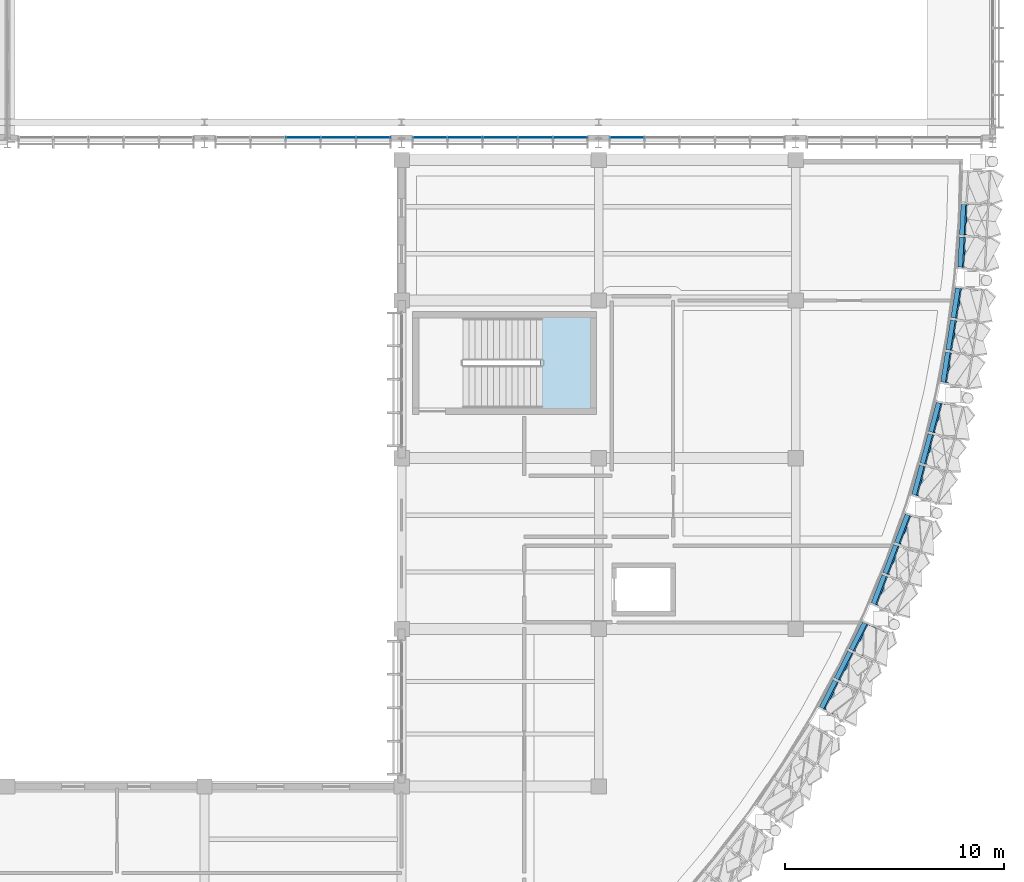
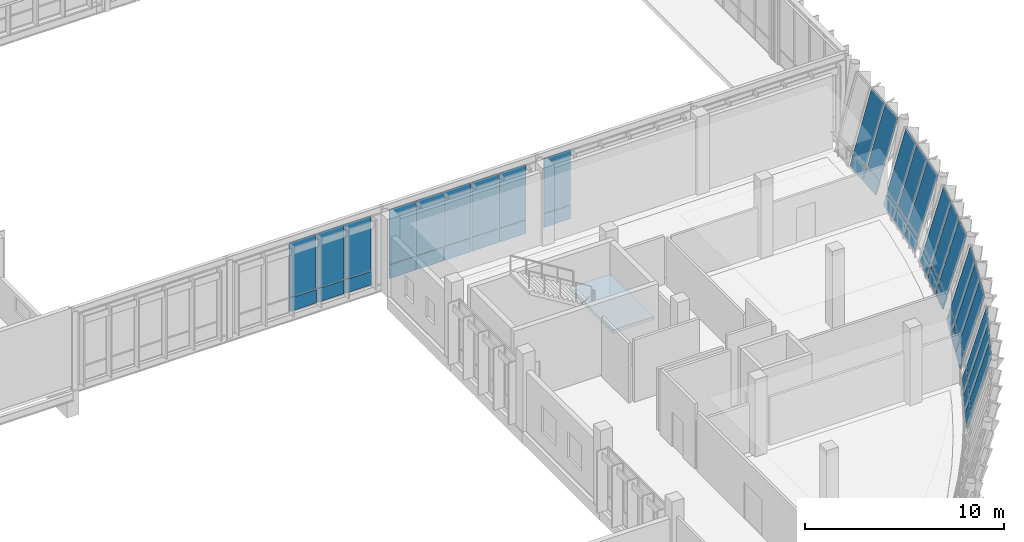
# One storey, part 140 of 177: 46 plates, 1 slab, 9 elements without a shape of their own.
"""IFC4 building model written with IfcOpenShell, lengths in metres."""

from ifc_helpers import new_model, si_unit, direction, frame, origin, origin_2d, place, context, subcontext, project, spatial, polyline, rectangle, outline, extrude, material, layer, layer_set, type_object, element, aggregate, save


model = new_model("IFC4")

# Units and contexts
model_context = context("Model", 3, precision=1e-05, world=origin(), true_north=direction((0.0, 1.0)))
body_context = subcontext(model_context, "Body", "Model", "MODEL_VIEW")
ifc_project = project(units=[si_unit("LENGTHUNIT", "METRE"), si_unit("AREAUNIT", "SQUARE_METRE"), si_unit("VOLUMEUNIT", "CUBIC_METRE"), si_unit("PLANEANGLEUNIT", "RADIAN"), si_unit("MASSUNIT", "GRAM", prefix="KILO")], contexts=[model_context])

# Site, building, storey
site_placement = place(None, origin())
site = spatial("IfcSite", under=ifc_project, at=site_placement, CompositionType="ELEMENT")
building_placement = place(site_placement, origin())
building = spatial("IfcBuilding", under=site, at=building_placement, Name="Chiffa Square Polytechnic", CompositionType="ELEMENT")
storey_placement = place(building_placement, frame((0.0, 0.0, 4.800048828125)))
storey = spatial("IfcBuildingStorey", under=building, at=storey_placement, Name="L01", CompositionType="ELEMENT", Elevation=4.800048828125)

# Curtain wall, plates
ifc_material_1 = material(Name="Aluminium EN AW-6060 T66 and glulam shading", Category="wood")
curtain_wall_type_1 = type_object("IfcCurtainWallType", Name="CW-PROW-LEAN-150", PredefinedType="USERDEFINED", material=ifc_material_1)
curtain_wall_1_placement = place(storey_placement, origin())
curtain_wall_1 = element("IfcCurtainWall", 1, at=curtain_wall_1_placement, inside=storey, type_object=curtain_wall_type_1, Name="Outward-leaning diamond-fin prow curtain wall CW-V1-L01-026", ObjectType="CURTAIN WALL", PredefinedType="USERDEFINED")
ifc_material_2 = material(Name="Double glazing", Category="glass")
ifc_layer_1 = layer(ifc_material_2, 0.035888671875, Name="Double glazing")
ifc_layer_set_1 = layer_set([ifc_layer_1], Name="Double glazing")
plate_type_1 = type_object("IfcPlateType", Name="CWP-GLZ-120X145", PredefinedType="CURTAIN_PANEL", material=ifc_layer_set_1)
plate_1_placement = place(storey_placement, frame((173.836669921875, 52.5126953125, 0.8779296875), z_axis=(-0.961031746374, 0.05040816923, 0.271803235698), x_axis=(0.05237346931, 0.998627567792, -2.3622825e-05)))
plate_1 = element("IfcPlate", 2, at=plate_1_placement, type_object=plate_type_1, Name="Leaning prow curtain panel CW-V1-L01-026-PN01", PredefinedType="CURTAIN_PANEL", context=body_context, shape_type="SweptSolid", body=[
    extrude(outline(polyline([(0.0, 0.0), (1.3820176239366675, 0.0), (1.3634875111920264, -3.696316927708244), (-0.05105854396310601, -3.6962482806053796), (0.0, 0.0)])), origin(), (0.0, 0.0, -1.0), 0.035888671875),
])
plate_2_placement = place(storey_placement, frame((173.91455078125, 54.0, 0.8779296875), z_axis=(-0.96100590989, 0.050406814051, 0.271894822043), x_axis=(0.052373464819, 0.998627568027, -2.363015e-05)))
plate_2 = element("IfcPlate", 3, at=plate_2_placement, type_object=plate_type_1, Name="Leaning prow curtain panel CW-V1-L01-026-PN02", PredefinedType="CURTAIN_PANEL", context=body_context, shape_type="SweptSolid", body=[
    extrude(outline(polyline([(0.0, 0.0), (1.382017623936948, 0.0), (1.3984667539128772, -3.696417171876284), (-0.016079301241406326, -3.6963485016422117), (0.0, 0.0)])), origin(), (0.0, 0.0, -1.0), 0.035888671875),
])

curtain_wall_type_2 = type_object("IfcCurtainWallType", Name="CW-PROW-LEAN-300", PredefinedType="USERDEFINED", material=ifc_material_1)
curtain_wall_2_placement = place(storey_placement, origin())
curtain_wall_2 = element("IfcCurtainWall", 4, at=curtain_wall_2_placement, inside=storey, type_object=curtain_wall_type_2, Name="Outward-leaning diamond-fin prow curtain wall CW-V1-L01-023", ObjectType="CURTAIN WALL", PredefinedType="USERDEFINED")
ifc_layer_2 = layer(ifc_material_2, 0.0458984375, Name="Double glazing")
ifc_layer_set_2 = layer_set([ifc_layer_2], Name="Double glazing")
plate_type_2 = type_object("IfcPlateType", Name="CWP-GLZ-128X106", PredefinedType="CURTAIN_PANEL", material=ifc_layer_set_2)
plate_3_placement = place(storey_placement, frame((169.8642578125, 37.10205078125, 0.8779296875), z_axis=(-0.89844232443, 0.344792154429, 0.271881885968), x_axis=(0.358274929434, 0.933616126804, -5.2064464e-05)))
plate_3 = element("IfcPlate", 5, at=plate_3_placement, type_object=plate_type_2, Name="Leaning prow curtain panel CW-V1-L01-023-PN01", PredefinedType="CURTAIN_PANEL", context=body_context, shape_type="SweptSolid", body=[
    extrude(outline(polyline([(0.0, 0.0), (1.381929812529648, 0.0), (1.3632301773664963, -3.6964425520827997), (-0.051336877886634484, -3.6962912546951396), (0.0, 0.0)])), origin(), (0.0, 0.0, -1.0), 0.0458984375),
])
plate_4_placement = place(storey_placement, frame((170.397705078125, 38.492431640625, 0.8779296875), z_axis=(-0.898427877495, 0.344786610178, 0.271936651414), x_axis=(0.358274923901, 0.933616128927, -5.2074114e-05)))
plate_4 = element("IfcPlate", 6, at=plate_4_placement, type_object=plate_type_2, Name="Leaning prow curtain panel CW-V1-L01-023-PN02", PredefinedType="CURTAIN_PANEL", context=body_context, shape_type="SweptSolid", body=[
    extrude(outline(polyline([(0.0, 0.0), (1.3819298125304627, 0.0), (1.3980937213582272, -3.6965038920183133), (-0.01647333389243964, -3.696352564154666), (0.0, 0.0)])), origin(), (0.0, 0.0, -1.0), 0.0458984375),
])
plate_5_placement = place(storey_placement, frame((170.93115234375, 39.8828125, 0.8779296875), z_axis=(-0.89842598703, 0.344734108742, 0.272009448548), x_axis=(0.358231488328, 0.933632796796, -3.893839e-05)))
plate_5 = element("IfcPlate", 7, at=plate_5_placement, type_object=plate_type_2, Name="Leaning prow curtain panel CW-V1-L01-023-PN03", PredefinedType="CURTAIN_PANEL", context=body_context, shape_type="SweptSolid", body=[
    extrude(outline(polyline([(0.0, 0.0), (1.3819298237086202, 0.0), (1.4329572537598534, -3.6965652491770538), (0.018705609510694783, -3.6964521041928258), (0.0, 0.0)])), origin(), (0.0, 0.0, -1.0), 0.0458984375),
])

curtain_wall_3_placement = place(storey_placement, origin())
curtain_wall_3 = element("IfcCurtainWall", 8, at=curtain_wall_3_placement, inside=storey, type_object=curtain_wall_type_1, Name="Outward-leaning diamond-fin prow curtain wall CW-V1-L01-022", ObjectType="CURTAIN WALL", PredefinedType="USERDEFINED")
ifc_layer_3 = layer(ifc_material_2, 0.0458984375, Name="Double glazing")
ifc_layer_set_3 = layer_set([ifc_layer_3], Name="Double glazing")
plate_type_3 = type_object("IfcPlateType", Name="CWP-GLZ-130X110", PredefinedType="CURTAIN_PANEL", material=ifc_layer_set_3)
plate_6_placement = place(storey_placement, frame((167.491455078125, 32.33544921875, 0.8779296875), z_axis=(-0.857414925815, 0.43689772011, 0.271955928696), x_axis=(0.454017956859, 0.890992532917, 3.3705947e-05)))
plate_6 = element("IfcPlate", 9, at=plate_6_placement, type_object=plate_type_3, Name="Leaning prow curtain panel CW-V1-L01-022-PN01", PredefinedType="CURTAIN_PANEL", context=body_context, shape_type="SweptSolid", body=[
    extrude(outline(polyline([(0.0, 0.0), (1.3821890876750023, 0.0), (1.3634378191488559, -3.6964014031297365), (-0.05117684735226447, -3.696499364230498), (0.0, 0.0)])), origin(), (0.0, 0.0, -1.0), 0.0458984375),
])
plate_7_placement = place(storey_placement, frame((168.167724609375, 33.662353515625, 0.8779296875), z_axis=(-0.857377033605, 0.437005225241, 0.271902657875), x_axis=(0.454120115823, 0.890940469297, 2.3969398e-05)))
plate_7 = element("IfcPlate", 10, at=plate_7_placement, type_object=plate_type_3, Name="Leaning prow curtain panel CW-V1-L01-022-PN02", PredefinedType="CURTAIN_PANEL", context=body_context, shape_type="SweptSolid", body=[
    extrude(outline(polyline([(0.0, 0.0), (1.3819715831160841, 0.0), (1.3985668256643609, -3.6963565010632475), (-0.016158679147272193, -3.6964261606492426), (0.0, 0.0)])), origin(), (0.0, 0.0, -1.0), 0.0458984375),
])
plate_8_placement = place(storey_placement, frame((168.843994140625, 34.989013671875, 0.8779296875), z_axis=(-0.857421285693, 0.436943769046, 0.271861879513), x_axis=(0.454055937734, 0.890973177736, 4.4314815e-05)))
plate_8 = element("IfcPlate", 11, at=plate_8_placement, type_object=plate_type_3, Name="Leaning prow curtain panel CW-V1-L01-022-PN03", PredefinedType="CURTAIN_PANEL", context=body_context, shape_type="SweptSolid", body=[
    extrude(outline(polyline([(0.0, 0.0), (1.3819715701259616, 0.0), (1.4340502310451404, -3.696281049734614), (0.0194355745777219, -3.6964098302900497), (0.0, 0.0)])), origin(), (0.0, 0.0, -1.0), 0.0458984375),
])

curtain_wall_4_placement = place(storey_placement, origin())
curtain_wall_4 = element("IfcCurtainWall", 12, at=curtain_wall_4_placement, inside=storey, type_object=curtain_wall_type_2, Name="Outward-leaning diamond-fin prow curtain wall CW-V1-L01-025", ObjectType="CURTAIN WALL", PredefinedType="USERDEFINED")
ifc_layer_4 = layer(ifc_material_2, 0.035888671875, Name="Double glazing")
ifc_layer_set_4 = layer_set([ifc_layer_4], Name="Double glazing")
plate_type_4 = type_object("IfcPlateType", Name="CWP-GLZ-150X125", PredefinedType="CURTAIN_PANEL", material=ifc_layer_set_4)
plate_9_placement = place(storey_placement, frame((173.053466796875, 47.247314453125, 0.8779296875), z_axis=(-0.950452965964, 0.150677468433, 0.271910757415), x_axis=(0.156578449822, 0.987665524872, 5.557315e-06)))
plate_9 = element("IfcPlate", 13, at=plate_9_placement, type_object=plate_type_4, Name="Leaning prow curtain panel CW-V1-L01-025-PN01", PredefinedType="CURTAIN_PANEL", context=body_context, shape_type="SweptSolid", body=[
    extrude(outline(polyline([(0.0, 0.0), (1.3812996727359337, 6.938893903907228e-18), (1.3626792693538325, -3.6963922564312854), (-0.05173449707816898, -3.696408401392969), (0.0, 0.0)])), origin(), (0.0, 0.0, -1.0), 0.035888671875),
])
plate_10_placement = place(storey_placement, frame((173.286376953125, 48.717529296875, 0.8779296875), z_axis=(-0.950446680469, 0.150689795568, 0.271925896333), x_axis=(0.156590957177, 0.987663541965, 1.979258e-06)))
plate_10 = element("IfcPlate", 14, at=plate_10_placement, type_object=plate_type_4, Name="Leaning prow curtain panel CW-V1-L01-025-PN02", PredefinedType="CURTAIN_PANEL", context=body_context, shape_type="SweptSolid", body=[
    extrude(outline(polyline([(0.0, 0.0), (1.3812996729878368, 0.0), (1.3980399821874328, -3.6964136816559554), (-0.01613265495617483, -3.696419431272001), (0.0, 0.0)])), origin(), (0.0, 0.0, -1.0), 0.035888671875),
])
plate_11_placement = place(storey_placement, frame((173.51953125, 50.187744140625, 0.8779296875), z_axis=(-0.950446189589, 0.150592358244, 0.27198158455), x_axis=(0.156484790383, 0.987680368218, -2.4792462e-05)))
plate_11 = element("IfcPlate", 15, at=plate_11_placement, type_object=plate_type_4, Name="Leaning prow curtain panel CW-V1-L01-025-PN03", PredefinedType="CURTAIN_PANEL", context=body_context, shape_type="SweptSolid", body=[
    extrude(outline(polyline([(0.0, 0.0), (1.3815025921537698, 0.0), (1.4331974014829008, -3.6965139350180904), (0.019024771733119793, -3.696441908108093), (0.0, 0.0)])), origin(), (0.0, 0.0, -1.0), 0.035888671875),
])

curtain_wall_5_placement = place(storey_placement, origin())
curtain_wall_5 = element("IfcCurtainWall", 16, at=curtain_wall_5_placement, inside=storey, type_object=curtain_wall_type_1, Name="Outward-leaning diamond-fin prow curtain wall CW-V1-L01-024", ObjectType="CURTAIN WALL", PredefinedType="USERDEFINED")
ifc_layer_5 = layer(ifc_material_2, 0.035888671875, Name="Double glazing")
ifc_layer_set_5 = layer_set([ifc_layer_5], Name="Double glazing")
plate_type_5 = type_object("IfcPlateType", Name="CWP-GLZ-150X145", PredefinedType="CURTAIN_PANEL", material=ifc_layer_set_5)
plate_12_placement = place(storey_placement, frame((171.72412109375, 42.091064453125, 0.8779296875), z_axis=(-0.929494630915, 0.24911430721, 0.271995943065), x_axis=(0.258883875467, 0.965908452074, 3.5138062e-05)))
plate_12 = element("IfcPlate", 17, at=plate_12_placement, type_object=plate_type_5, Name="Leaning prow curtain panel CW-V1-L01-024-PN01", PredefinedType="CURTAIN_PANEL", context=body_context, shape_type="SweptSolid", body=[
    extrude(outline(polyline([(0.0, 0.0), (1.3818714035460526, 4.163336342344337e-17), (1.3630271440172343, -3.6964428305913035), (-0.05135045049756604, -3.6965449348565294), (0.0, 0.0)])), origin(), (0.0, 0.0, -1.0), 0.035888671875),
])
plate_13_placement = place(storey_placement, frame((172.10986328125, 43.529296875, 0.8779296875), z_axis=(-0.929498718734, 0.249115402788, 0.271980969859), x_axis=(0.258871681083, 0.965911720936, -9.528372e-06)))
plate_13 = element("IfcPlate", 18, at=plate_13_placement, type_object=plate_type_5, Name="Leaning prow curtain panel CW-V1-L01-024-PN02", PredefinedType="CURTAIN_PANEL", context=body_context, shape_type="SweptSolid", body=[
    extrude(outline(polyline([(0.0, 0.0), (1.3818082009634591, -2.7755575615628914e-17), (1.3979727500779107, -3.6964901843765556), (-0.01646804874656202, -3.6964624969329325), (0.0, 0.0)])), origin(), (0.0, 0.0, -1.0), 0.035888671875),
])
plate_14_placement = place(storey_placement, frame((172.495361328125, 44.9677734375, 0.8779296875), z_axis=(-0.929506221207, 0.249094897494, 0.271974110495), x_axis=(0.258851465922, 0.965917138567, -3.613125e-06)))
plate_14 = element("IfcPlate", 19, at=plate_14_placement, type_object=plate_type_5, Name="Leaning prow curtain panel CW-V1-L01-024-PN03", PredefinedType="CURTAIN_PANEL", context=body_context, shape_type="SweptSolid", body=[
    extrude(outline(polyline([(0.0, 0.0), (1.3818082016894895, -2.7755575615628914e-17), (1.4330899343014165, -3.696474275786642), (0.018413317250367413, -3.6964637759404253), (0.0, 0.0)])), origin(), (0.0, 0.0, -1.0), 0.035888671875),
])

curtain_wall_type_3 = type_object("IfcCurtainWallType", Name="CW-VERT-450X380", PredefinedType="USERDEFINED", material=ifc_material_1)
curtain_wall_6_placement = place(storey_placement, origin())
curtain_wall_6 = element("IfcCurtainWall", 20, at=curtain_wall_6_placement, inside=storey, type_object=curtain_wall_type_3, Name="Curtain wall CW-V2-L01S-02", ObjectType="CURTAIN WALL", PredefinedType="USERDEFINED")
plate_15_placement = place(storey_placement, frame((143.699951171875, 58.449951171875, 0.91943359375), z_axis=(0.0, 0.0, 1.0), x_axis=(1.0, 0.0, 0.0)))
plate_15 = element("IfcPlate", 21, at=plate_15_placement, type_object=plate_type_5, Name="Glazed curtain panel CW-V2-L01S-02-PN03", PredefinedType="CURTAIN_PANEL", context=body_context, shape_type="SweptSolid", body=[
    extrude(rectangle(XDim=1.555908203125, YDim=0.035888671875, at=origin_2d()), origin(), (0.0, 0.0, 1.0), 3.364990234375),
])
plate_16_placement = place(storey_placement, frame((145.30810546875, 58.449951171875, 0.91943359375), z_axis=(0.0, 0.0, 1.0), x_axis=(1.0, 0.0, 0.0)))
plate_16 = element("IfcPlate", 22, at=plate_16_placement, type_object=plate_type_5, Name="Glazed curtain panel CW-V2-L01S-02-PN04", PredefinedType="CURTAIN_PANEL", context=body_context, shape_type="SweptSolid", body=[
    extrude(rectangle(XDim=1.555908203125, YDim=0.035888671875, at=origin_2d()), origin(), (0.0, 0.0, 1.0), 3.364990234375),
])
plate_17_placement = place(storey_placement, frame((146.905029296875, 58.449951171875, 0.91943359375), z_axis=(0.0, 0.0, 1.0), x_axis=(1.0, 0.0, 0.0)))
plate_17 = element("IfcPlate", 23, at=plate_17_placement, type_object=plate_type_5, Name="Glazed curtain panel CW-V2-L01S-02-PN05", PredefinedType="CURTAIN_PANEL", context=body_context, shape_type="SweptSolid", body=[
    extrude(rectangle(XDim=1.533935546875, YDim=0.035888671875, at=origin_2d()), origin(), (0.0, 0.0, 1.0), 3.364990234375),
])

curtain_wall_type_4 = type_object("IfcCurtainWallType", Name="CW-VERT-300X380", PredefinedType="USERDEFINED", material=ifc_material_1)
curtain_wall_7_placement = place(storey_placement, origin())
curtain_wall_7 = element("IfcCurtainWall", 24, at=curtain_wall_7_placement, inside=storey, type_object=curtain_wall_type_4, Name="Curtain wall CW-V2-L01S-03", ObjectType="CURTAIN WALL", PredefinedType="USERDEFINED")
plate_18_placement = place(storey_placement, frame((149.4951171875, 58.449951171875, 0.91943359375), z_axis=(0.0, 0.0, 1.0), x_axis=(1.0, 0.0, 0.0)))
plate_18 = element("IfcPlate", 25, at=plate_18_placement, type_object=plate_type_5, Name="Glazed curtain panel CW-V2-L01S-03-PN01", PredefinedType="CURTAIN_PANEL", context=body_context, shape_type="SweptSolid", body=[
    extrude(rectangle(XDim=1.533935546875, YDim=0.035888671875, at=origin_2d()), origin(), (0.0, 0.0, 1.0), 3.364990234375),
])
plate_19_placement = place(storey_placement, frame((151.092041015625, 58.449951171875, 0.91943359375), z_axis=(0.0, 0.0, 1.0), x_axis=(1.0, 0.0, 0.0)))
plate_19 = element("IfcPlate", 26, at=plate_19_placement, type_object=plate_type_5, Name="Glazed curtain panel CW-V2-L01S-03-PN02", PredefinedType="CURTAIN_PANEL", context=body_context, shape_type="SweptSolid", body=[
    extrude(rectangle(XDim=1.555908203125, YDim=0.035888671875, at=origin_2d()), origin(), (0.0, 0.0, 1.0), 3.364990234375),
])
plate_20_placement = place(storey_placement, frame((152.699951171875, 58.449951171875, 0.91943359375), z_axis=(0.0, 0.0, 1.0), x_axis=(1.0, 0.0, 0.0)))
plate_20 = element("IfcPlate", 27, at=plate_20_placement, type_object=plate_type_5, Name="Glazed curtain panel CW-V2-L01S-03-PN03", PredefinedType="CURTAIN_PANEL", context=body_context, shape_type="SweptSolid", body=[
    extrude(rectangle(XDim=1.555908203125, YDim=0.035888671875, at=origin_2d()), origin(), (0.0, 0.0, 1.0), 3.364990234375),
])
plate_21_placement = place(storey_placement, frame((154.30810546875, 58.449951171875, 0.91943359375), z_axis=(0.0, 0.0, 1.0), x_axis=(1.0, 0.0, 0.0)))
plate_21 = element("IfcPlate", 28, at=plate_21_placement, type_object=plate_type_5, Name="Glazed curtain panel CW-V2-L01S-03-PN04", PredefinedType="CURTAIN_PANEL", context=body_context, shape_type="SweptSolid", body=[
    extrude(rectangle(XDim=1.555908203125, YDim=0.035888671875, at=origin_2d()), origin(), (0.0, 0.0, 1.0), 3.364990234375),
])
plate_22_placement = place(storey_placement, frame((155.905029296875, 58.449951171875, 0.91943359375), z_axis=(0.0, 0.0, 1.0), x_axis=(1.0, 0.0, 0.0)))
plate_22 = element("IfcPlate", 29, at=plate_22_placement, type_object=plate_type_5, Name="Glazed curtain panel CW-V2-L01S-03-PN05", PredefinedType="CURTAIN_PANEL", context=body_context, shape_type="SweptSolid", body=[
    extrude(rectangle(XDim=1.533935546875, YDim=0.035888671875, at=origin_2d()), origin(), (0.0, 0.0, 1.0), 3.364990234375),
])

# Curtain wall, plate
curtain_wall_type_5 = type_object("IfcCurtainWallType", Name="CW-VERT-600X380", PredefinedType="USERDEFINED", material=ifc_material_1)
curtain_wall_8_placement = place(storey_placement, origin())
curtain_wall_8 = element("IfcCurtainWall", 30, at=curtain_wall_8_placement, inside=storey, type_object=curtain_wall_type_5, Name="Curtain wall CW-V2-L01S-04", ObjectType="CURTAIN WALL", PredefinedType="USERDEFINED")
plate_23_placement = place(storey_placement, frame((158.4951171875, 58.449951171875, 0.91943359375), z_axis=(0.0, 0.0, 1.0), x_axis=(1.0, 0.0, 0.0)))
plate_23 = element("IfcPlate", 31, at=plate_23_placement, type_object=plate_type_5, Name="Glazed curtain panel CW-V2-L01S-04-PN01", PredefinedType="CURTAIN_PANEL", context=body_context, shape_type="SweptSolid", body=[
    extrude(rectangle(XDim=1.533935546875, YDim=0.035888671875, at=origin_2d()), origin(), (0.0, 0.0, 1.0), 3.364990234375),
])

# Plate
ifc_material_3 = material(Name="Aluminium insulated spandrel", Category="aluminium")
ifc_layer_6 = layer(ifc_material_3, 0.06591796875, Name="Aluminium insulated spandrel")
ifc_layer_set_6 = layer_set([ifc_layer_6], Name="Aluminium insulated spandrel")
plate_type_6 = type_object("IfcPlateType", Name="CWP-SPN-144X078", PredefinedType="SHEET", material=ifc_layer_set_6)
plate_24_placement = place(storey_placement, frame((173.603759765625, 52.536865234375, 0.050048828125), z_axis=(-0.960976295924, 0.050295042544, 0.272020159856), x_axis=(0.052262748415, 0.998633368661, -1.1195406e-05)))
plate_24 = element("IfcPlate", 32, at=plate_24_placement, type_object=plate_type_6, Name="Leaning prow curtain panel CW-V1-L01-026-SP01", PredefinedType="SHEET", context=body_context, shape_type="SweptSolid", body=[
    extrude(outline(polyline([(0.0, 0.0), (1.3744340934191661, -3.469446951953614e-18), (1.3704470498368078, -0.8022391932566086), (-0.011082964770833016, -0.8022071300666158), (0.0, 0.0)])), origin(), (0.0, 0.0, -1.0), 0.06591796875),
])

plate_25_placement = place(storey_placement, frame((173.68115234375, 54.015869140625, 0.050048828125), z_axis=(-0.961023888813, 0.05029307206, 0.27185233498), x_axis=(0.052257786183, 0.998633628329, -1.240428e-05)))
plate_25 = element("IfcPlate", 33, at=plate_25_placement, type_object=plate_type_6, Name="Leaning prow curtain panel CW-V1-L01-026-SP02", PredefinedType="SHEET", context=body_context, shape_type="SweptSolid", body=[
    extrude(outline(polyline([(0.0, 0.0), (1.3746779006912415, 3.469446951953614e-18), (1.3780158086483274, -0.8022014773505457), (-0.0035142056087284464, -0.8021659506014687), (0.0, 0.0)])), origin(), (0.0, 0.0, -1.0), 0.06591796875),
])

aggregate(curtain_wall_1, [plate_24, plate_1, plate_25, plate_2])

ifc_layer_7 = layer(ifc_material_3, 0.06396484375, Name="Aluminium insulated spandrel")
ifc_layer_set_7 = layer_set([ifc_layer_7], Name="Aluminium insulated spandrel")
plate_type_7 = type_object("IfcPlateType", Name="CWP-SPN-146X082", PredefinedType="SHEET", material=ifc_layer_set_7)
plate_26_placement = place(storey_placement, frame((172.82421875, 47.295654296875, 0.050048828125), z_axis=(-0.950456476143, 0.150691484374, 0.271890719766), x_axis=(0.156587965689, 0.98766401621, -9.233819e-06)))
plate_26 = element("IfcPlate", 34, at=plate_26_placement, type_object=plate_type_7, Name="Leaning prow curtain panel CW-V1-L01-025-SP01", PredefinedType="SHEET", context=body_context, shape_type="SweptSolid", body=[
    extrude(outline(polyline([(0.0, 0.0), (1.3738746581707348, -1.3877787807814457e-17), (1.3698933656764238, -0.8022058991805178), (-0.011165178309383341, -0.8021794647942241), (0.0, 0.0)])), origin(), (0.0, 0.0, -1.0), 0.06396484375),
])

plate_27_placement = place(storey_placement, frame((173.055908203125, 48.7578125, 0.050048828125), z_axis=(-0.95041595387, 0.150613296351, 0.272075632118), x_axis=(0.156520598938, 0.987674694425, 1.0044596e-05)))
plate_27 = element("IfcPlate", 35, at=plate_27_placement, type_object=plate_type_7, Name="Leaning prow curtain panel CW-V1-L01-025-SP02", PredefinedType="SHEET", context=body_context, shape_type="SweptSolid", body=[
    extrude(outline(polyline([(0.0, 0.0), (1.3738746580267636, -6.938893903907228e-18), (1.3773183786262664, -0.8022219465074036), (-0.0034608140293175883, -0.8022507006168927), (0.0, 0.0)])), origin(), (0.0, 0.0, -1.0), 0.06396484375),
])

plate_28_placement = place(storey_placement, frame((173.28759765625, 50.219970703125, 0.050048828125), z_axis=(-0.950417373475, 0.150600007318, 0.272078029235), x_axis=(0.156507913361, 0.98767670463, 1.3676223e-05)))
plate_28 = element("IfcPlate", 36, at=plate_28_placement, type_object=plate_type_7, Name="Leaning prow curtain panel CW-V1-L01-025-SP03", PredefinedType="SHEET", context=body_context, shape_type="SweptSolid", body=[
    extrude(outline(polyline([(0.0, 0.0), (1.3738746572273859, -6.938893903907228e-18), (1.3852256525578848, -0.8022172012001332), (0.00420532734033591, -0.8022563548214596), (0.0, 0.0)])), origin(), (0.0, 0.0, -1.0), 0.06396484375),
])

aggregate(curtain_wall_4, [plate_26, plate_9, plate_27, plate_10, plate_28, plate_11])

ifc_layer_8 = layer(ifc_material_3, 0.06201171875, Name="Aluminium insulated spandrel")
ifc_layer_set_8 = layer_set([ifc_layer_8], Name="Aluminium insulated spandrel")
plate_type_8 = type_object("IfcPlateType", Name="CWP-SPN-148X084", PredefinedType="SHEET", material=ifc_layer_set_8)
plate_29_placement = place(storey_placement, frame((171.501220703125, 42.1630859375, 0.050048828125), z_axis=(-0.929453673308, 0.249178490973, 0.272077100855), x_axis=(0.258951906537, 0.965890216225, 1.7400274e-05)))
plate_29 = element("IfcPlate", 37, at=plate_29_placement, type_object=plate_type_8, Name="Leaning prow curtain panel CW-V1-L01-024-SP01", PredefinedType="SHEET", context=body_context, shape_type="SweptSolid", body=[
    extrude(outline(polyline([(0.0, 0.0), (1.3742912561873026, -1.3877787807814457e-17), (1.3703654319618552, -0.8022118902395241), (-0.01120694717863791, -0.8022617229366537), (0.0, 0.0)])), origin(), (0.0, 0.0, -1.0), 0.06201171875),
])

plate_30_placement = place(storey_placement, frame((171.884765625, 43.593505859375, 0.050048828125), z_axis=(-0.929515328811, 0.249109767109, 0.271929361116), x_axis=(0.258859821142, 0.965914899308, -1.7150958e-05)))
plate_30 = element("IfcPlate", 38, at=plate_30_placement, type_object=plate_type_8, Name="Leaning prow curtain panel CW-V1-L01-024-SP02", PredefinedType="SHEET", context=body_context, shape_type="SweptSolid", body=[
    extrude(outline(polyline([(0.0, 0.0), (1.3744638627534087, 0.0), (1.377834904147958, -0.8022264128831915), (-0.003501659008389909, -0.8021772974604705), (0.0, 0.0)])), origin(), (0.0, 0.0, -1.0), 0.06201171875),
])

plate_31_placement = place(storey_placement, frame((172.268310546875, 45.024169921875, 0.050048828125), z_axis=(-0.92951830007, 0.249110563405, 0.27191847498), x_axis=(0.258863105252, 0.965914019317, -5.119211e-06)))
plate_31 = element("IfcPlate", 39, at=plate_31_placement, type_object=plate_type_8, Name="Leaning prow curtain panel CW-V1-L01-024-SP03", PredefinedType="SHEET", context=body_context, shape_type="SweptSolid", body=[
    extrude(outline(polyline([(0.0, 0.0), (1.3742280437936012, 2.7755575615628914e-17), (1.385425091776626, -0.8022066619170626), (0.0038527092617822267, -0.8021920020125449), (0.0, 0.0)])), origin(), (0.0, 0.0, -1.0), 0.06201171875),
])

aggregate(curtain_wall_5, [plate_29, plate_12, plate_30, plate_13, plate_31, plate_14])

ifc_layer_9 = layer(ifc_material_3, 0.06005859375, Name="Aluminium insulated spandrel")
ifc_layer_set_9 = layer_set([ifc_layer_9], Name="Aluminium insulated spandrel")
plate_type_9 = type_object("IfcPlateType", Name="CWP-SPN-150X080", PredefinedType="SHEET", material=ifc_layer_set_9)
plate_32_placement = place(storey_placement, frame((169.64990234375, 37.197021484375, 0.050048828125), z_axis=(-0.898439190029, 0.344746947953, 0.271949560943), x_axis=(0.358250868874, 0.9336253611, 7.820154e-06)))
plate_32 = element("IfcPlate", 40, at=plate_32_placement, type_object=plate_type_9, Name="Leaning prow curtain panel CW-V1-L01-023-SP01", PredefinedType="SHEET", context=body_context, shape_type="SweptSolid", body=[
    extrude(outline(polyline([(0.0, 0.0), (1.3744450440582539, -2.7755575615628914e-17), (1.3702844789760975, -0.8021954792281196), (-0.011189469730215833, -0.8022178750008222), (0.0, 0.0)])), origin(), (0.0, 0.0, -1.0), 0.06005859375),
])

plate_33_placement = place(storey_placement, frame((170.180419921875, 38.579833984375, 0.050048828125), z_axis=(-0.8984480626, 0.344750352515, 0.271915930484), x_axis=(0.358250868364, 0.933625361296, 7.819264e-06)))
plate_33 = element("IfcPlate", 41, at=plate_33_placement, type_object=plate_type_9, Name="Leaning prow curtain panel CW-V1-L01-023-SP02", PredefinedType="SHEET", context=body_context, shape_type="SweptSolid", body=[
    extrude(outline(polyline([(0.0, 0.0), (1.3744450440582427, -2.7755575615628914e-17), (1.3778567181673866, -0.8021874969330408), (-0.003617230538960326, -0.8022098899361852), (0.0, 0.0)])), origin(), (0.0, 0.0, -1.0), 0.06005859375),
])

plate_34_placement = place(storey_placement, frame((170.7109375, 39.962646484375, 0.050048828125), z_axis=(-0.898387497381, 0.344727112573, 0.272145406736), x_axis=(0.358250871847, 0.93362535996, 7.825335e-06)))
plate_34 = element("IfcPlate", 42, at=plate_34_placement, type_object=plate_type_9, Name="Leaning prow curtain panel CW-V1-L01-023-SP03", PredefinedType="SHEET", context=body_context, shape_type="SweptSolid", body=[
    extrude(outline(polyline([(0.0, 0.0), (1.3744450440583194, 0.0), (1.385516427257098, -0.8022415057996134), (0.0040424785509812055, -0.8022639177007402), (0.0, 0.0)])), origin(), (0.0, 0.0, -1.0), 0.06005859375),
])

aggregate(curtain_wall_2, [plate_32, plate_3, plate_33, plate_4, plate_34, plate_5])

ifc_layer_10 = layer(ifc_material_3, 0.06005859375, Name="Aluminium insulated spandrel")
ifc_layer_set_10 = layer_set([ifc_layer_10], Name="Aluminium insulated spandrel")
plate_type_10 = type_object("IfcPlateType", Name="CWP-SPN-150X095", PredefinedType="SHEET", material=ifc_layer_set_10)
plate_35_placement = place(storey_placement, frame((167.28857421875, 32.452392578125, 0.050048828125), z_axis=(-0.857433815826, 0.436944248395, 0.271821587207), x_axis=(0.454038557048, 0.890982036118, -5.384427e-06)))
plate_35 = element("IfcPlate", 43, at=plate_35_placement, type_object=plate_type_10, Name="Leaning prow curtain panel CW-V1-L01-022-SP01", PredefinedType="SHEET", context=body_context, shape_type="SweptSolid", body=[
    extrude(outline(polyline([(0.0, 0.0), (1.3744356555131874, -2.7755575615628914e-17), (1.3702027258720963, -0.8021841415492692), (-0.01111209276232449, -0.8021687228627411), (0.0, 0.0)])), origin(), (0.0, 0.0, -1.0), 0.06005859375),
])

plate_36_placement = place(storey_placement, frame((167.9609375, 33.77197265625, 0.050048828125), z_axis=(-0.857351011583, 0.437030756302, 0.271943672447), x_axis=(0.454152616876, 0.890923902424, 2.5956139e-05)))
plate_36 = element("IfcPlate", 44, at=plate_36_placement, type_object=plate_type_10, Name="Leaning prow curtain panel CW-V1-L01-022-SP02", PredefinedType="SHEET", context=body_context, shape_type="SweptSolid", body=[
    extrude(outline(polyline([(0.0, 0.0), (1.3743290068383405, 0.0), (1.3777907691416873, -0.8021680651281988), (-0.0035240416189049675, -0.8022423921528582), (0.0, 0.0)])), origin(), (0.0, 0.0, -1.0), 0.06005859375),
])

plate_37_placement = place(storey_placement, frame((168.633544921875, 35.09130859375, 0.050048828125), z_axis=(-0.857401860172, 0.43701321818, 0.271811510627), x_axis=(0.454114103706, 0.890943533889, 1.5364641e-05)))
plate_37 = element("IfcPlate", 45, at=plate_37_placement, type_object=plate_type_10, Name="Leaning prow curtain panel CW-V1-L01-022-SP03", PredefinedType="SHEET", context=body_context, shape_type="SweptSolid", body=[
    extrude(outline(polyline([(0.0, 0.0), (1.3745465159094648, 2.7755575615628914e-17), (1.3856332595006964, -0.8021519801315034), (0.004318443397944159, -0.8021959795054262), (0.0, 0.0)])), origin(), (0.0, 0.0, -1.0), 0.06005859375),
])

aggregate(curtain_wall_3, [plate_35, plate_6, plate_36, plate_7, plate_37, plate_8])

plate_38_placement = place(storey_placement, frame((143.699951171875, 58.449951171875, 0.0498046875), z_axis=(0.0, 0.0, 1.0), x_axis=(1.0, 0.0, 0.0)))
plate_38 = element("IfcPlate", 46, at=plate_38_placement, type_object=plate_type_10, Name="Spandrel panel CW-V2-L01S-02-SP03", PredefinedType="SHEET", context=body_context, shape_type="SweptSolid", body=[
    extrude(rectangle(XDim=1.555908203125, YDim=0.06005859375, at=origin_2d()), origin(), (0.0, 0.0, 1.0), 0.830078125),
])

plate_39_placement = place(storey_placement, frame((145.30810546875, 58.449951171875, 0.0498046875), z_axis=(0.0, 0.0, 1.0), x_axis=(1.0, 0.0, 0.0)))
plate_39 = element("IfcPlate", 47, at=plate_39_placement, type_object=plate_type_10, Name="Spandrel panel CW-V2-L01S-02-SP04", PredefinedType="SHEET", context=body_context, shape_type="SweptSolid", body=[
    extrude(rectangle(XDim=1.555908203125, YDim=0.06005859375, at=origin_2d()), origin(), (0.0, 0.0, 1.0), 0.830078125),
])

plate_40_placement = place(storey_placement, frame((146.905029296875, 58.449951171875, 0.0498046875), z_axis=(0.0, 0.0, 1.0), x_axis=(1.0, 0.0, 0.0)))
plate_40 = element("IfcPlate", 48, at=plate_40_placement, type_object=plate_type_10, Name="Spandrel panel CW-V2-L01S-02-SP05", PredefinedType="SHEET", context=body_context, shape_type="SweptSolid", body=[
    extrude(rectangle(XDim=1.533935546875, YDim=0.06005859375, at=origin_2d()), origin(), (0.0, 0.0, 1.0), 0.830078125),
])

aggregate(curtain_wall_6, [plate_38, plate_15, plate_39, plate_16, plate_40, plate_17])

plate_41_placement = place(storey_placement, frame((149.4951171875, 58.449951171875, 0.0498046875), z_axis=(0.0, 0.0, 1.0), x_axis=(1.0, 0.0, 0.0)))
plate_41 = element("IfcPlate", 49, at=plate_41_placement, type_object=plate_type_10, Name="Spandrel panel CW-V2-L01S-03-SP01", PredefinedType="SHEET", context=body_context, shape_type="SweptSolid", body=[
    extrude(rectangle(XDim=1.533935546875, YDim=0.06005859375, at=origin_2d()), origin(), (0.0, 0.0, 1.0), 0.830078125),
])

plate_42_placement = place(storey_placement, frame((151.092041015625, 58.449951171875, 0.0498046875), z_axis=(0.0, 0.0, 1.0), x_axis=(1.0, 0.0, 0.0)))
plate_42 = element("IfcPlate", 50, at=plate_42_placement, type_object=plate_type_10, Name="Spandrel panel CW-V2-L01S-03-SP02", PredefinedType="SHEET", context=body_context, shape_type="SweptSolid", body=[
    extrude(rectangle(XDim=1.555908203125, YDim=0.06005859375, at=origin_2d()), origin(), (0.0, 0.0, 1.0), 0.830078125),
])

plate_43_placement = place(storey_placement, frame((152.699951171875, 58.449951171875, 0.0498046875), z_axis=(0.0, 0.0, 1.0), x_axis=(1.0, 0.0, 0.0)))
plate_43 = element("IfcPlate", 51, at=plate_43_placement, type_object=plate_type_10, Name="Spandrel panel CW-V2-L01S-03-SP03", PredefinedType="SHEET", context=body_context, shape_type="SweptSolid", body=[
    extrude(rectangle(XDim=1.555908203125, YDim=0.06005859375, at=origin_2d()), origin(), (0.0, 0.0, 1.0), 0.830078125),
])

plate_44_placement = place(storey_placement, frame((154.30810546875, 58.449951171875, 0.0498046875), z_axis=(0.0, 0.0, 1.0), x_axis=(1.0, 0.0, 0.0)))
plate_44 = element("IfcPlate", 52, at=plate_44_placement, type_object=plate_type_10, Name="Spandrel panel CW-V2-L01S-03-SP04", PredefinedType="SHEET", context=body_context, shape_type="SweptSolid", body=[
    extrude(rectangle(XDim=1.555908203125, YDim=0.06005859375, at=origin_2d()), origin(), (0.0, 0.0, 1.0), 0.830078125),
])

plate_45_placement = place(storey_placement, frame((155.905029296875, 58.449951171875, 0.0498046875), z_axis=(0.0, 0.0, 1.0), x_axis=(1.0, 0.0, 0.0)))
plate_45 = element("IfcPlate", 53, at=plate_45_placement, type_object=plate_type_10, Name="Spandrel panel CW-V2-L01S-03-SP05", PredefinedType="SHEET", context=body_context, shape_type="SweptSolid", body=[
    extrude(rectangle(XDim=1.533935546875, YDim=0.06005859375, at=origin_2d()), origin(), (0.0, 0.0, 1.0), 0.830078125),
])

aggregate(curtain_wall_7, [plate_41, plate_18, plate_42, plate_19, plate_43, plate_20, plate_44, plate_21, plate_45, plate_22])

plate_46_placement = place(storey_placement, frame((158.4951171875, 58.449951171875, 0.0498046875), z_axis=(0.0, 0.0, 1.0), x_axis=(1.0, 0.0, 0.0)))
plate_46 = element("IfcPlate", 54, at=plate_46_placement, type_object=plate_type_10, Name="Spandrel panel CW-V2-L01S-04-SP01", PredefinedType="SHEET", context=body_context, shape_type="SweptSolid", body=[
    extrude(rectangle(XDim=1.533935546875, YDim=0.06005859375, at=origin_2d()), origin(), (0.0, 0.0, 1.0), 0.830078125),
])

aggregate(curtain_wall_8, [plate_46, plate_23])

# Stair, slab
ifc_material_4 = material(Name="Concrete C35/45", Category="concrete")
stair_type = type_object("IfcStairType", Name="STAIR-DOG-1950", PredefinedType="HALF_TURN_STAIR", material=ifc_material_4)
stair_placement = place(storey_placement, origin())
stair = element("IfcStair", 55, at=stair_placement, inside=storey, type_object=stair_type, Name="L01 Enclosed exit stair ST-V1B", PredefinedType="HALF_TURN_STAIR")
ifc_layer_11 = layer(ifc_material_4, 0.199951171875, Name="Concrete C35/45")
ifc_layer_set_11 = layer_set([ifc_layer_11], Name="Concrete C35/45")
slab_type = type_object("IfcSlabType", Name="SLB-LND-200", PredefinedType="LANDING", material=ifc_layer_set_11)
slab_placement = place(storey_placement, frame((0.0, 0.0, 2.199951171875)))
slab = element("IfcSlab", 56, at=slab_placement, type_object=slab_type, Name="ST-V1B landing 1", PredefinedType="LANDING", context=body_context, shape_type="SweptSolid", body=[
    extrude(outline(polyline([(154.52001953125, 45.97998046875), (154.52001953125, 50.320068359375), (156.919921875, 50.320068359375), (156.919921875, 45.97998046875), (154.52001953125, 45.97998046875)])), origin(), (0.0, 0.0, 1.0), 0.199951171875),
])
aggregate(stair, [slab])

save(model, "model.ifc")
